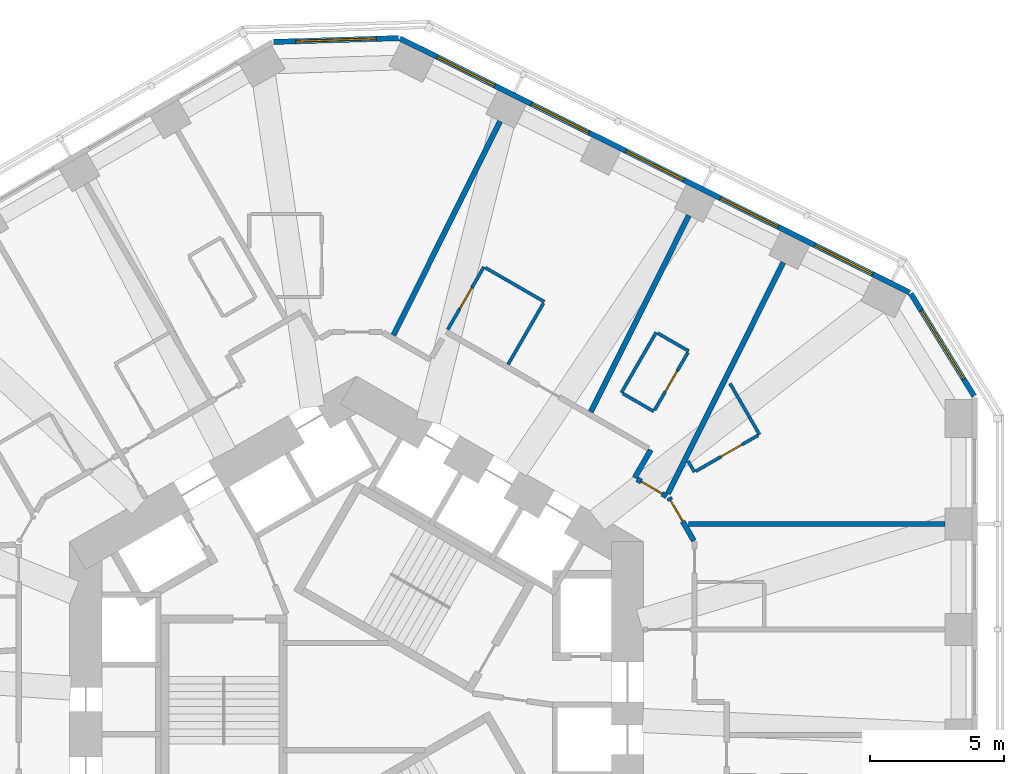
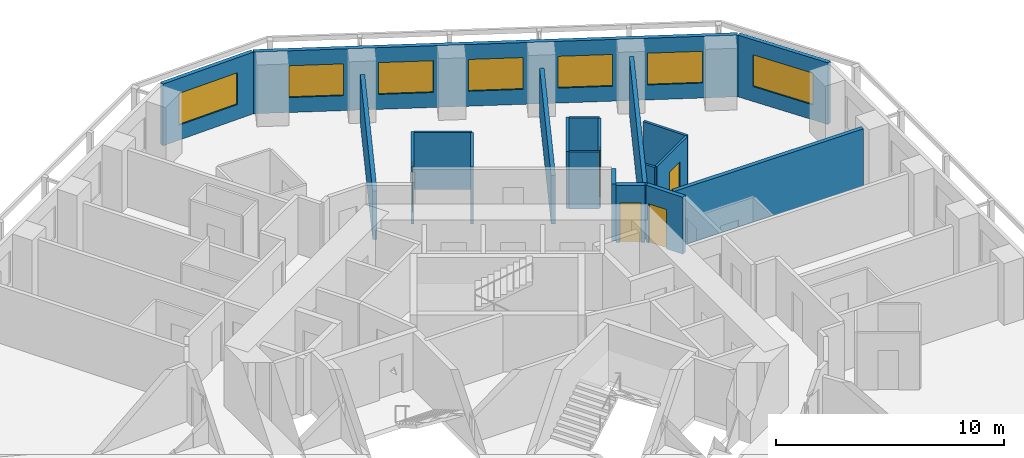
# One storey, part 9 of 12: 20 walls, 7 windows, 5 doors, 12 openings.
"""IFC4 building model written with IfcOpenShell, lengths in metres."""

from ifc_helpers import new_model, si_unit, direction, frame, frame_2d, origin, place, context, subcontext, project, spatial, rectangle, extrude, material, layer, layer_set, type_object, element, fill, save


model = new_model("IFC4")

# Units and contexts
model_context = context("Model", 3, precision=1e-05, world=origin(), true_north=direction((0.0, 1.0)))
body_context = subcontext(model_context, "Body", "Model", "MODEL_VIEW")
ifc_project = project(units=[si_unit("LENGTHUNIT", "METRE"), si_unit("AREAUNIT", "SQUARE_METRE"), si_unit("VOLUMEUNIT", "CUBIC_METRE"), si_unit("PLANEANGLEUNIT", "RADIAN"), si_unit("MASSUNIT", "GRAM", prefix="KILO")], contexts=[model_context])

# Site, building, storey
site_placement = place(None, origin())
site = spatial("IfcSite", under=ifc_project, at=site_placement, CompositionType="ELEMENT")
building_placement = place(site_placement, origin())
building = spatial("IfcBuilding", under=site, at=building_placement, Name="Vanh Sen Convention Tower", CompositionType="ELEMENT")
storey_placement = place(building_placement, frame((0.0, 0.0, 83.60009765625)))
storey = spatial("IfcBuildingStorey", under=building, at=storey_placement, Name="L18", CompositionType="ELEMENT", Elevation=83.60009765625)

# Wall, opening, door
ifc_material_1 = material(Name="Moisture-resistant gypsum board on steel studs", Category="steel")
ifc_layer_1 = layer(ifc_material_1, 0.1201171875)
ifc_layer_set_1 = layer_set([ifc_layer_1], Name="Moisture-resistant gypsum board on steel studs")
wall_type_1 = type_object("IfcWallType", Name="Bathroom partition 120", PredefinedType="PARTITIONING", material=ifc_layer_set_1)
wall_1_placement = place(storey_placement, frame((3.39892578125, 14.089111328125, 0.0), z_axis=(0.0, 0.0, 1.0), x_axis=(0.4999416173, 0.866059108428, 0.0)))
wall_1 = element("IfcWall", 1, at=wall_1_placement, inside=storey, type_object=wall_type_1, Name="Bathroom partition 120", PredefinedType="PARTITIONING", context=body_context, shape_type="SweptSolid", body=[
    extrude(rectangle(XDim=2.699951171875, YDim=0.1201171875, at=frame_2d((1.35009765625, 0.0))), origin(), (0.0, 0.0, 1.0), 3.0498046875),
])
opening_1_placement = place(wall_1_placement, frame((0.89990234375, 0.0, 0.0)))
opening_1 = element("IfcOpeningElement", 2, at=opening_1_placement, cuts=wall_1, Name="Opening D16111", PredefinedType="OPENING", context=body_context, shape_type="SweptSolid", body=[
    extrude(rectangle(XDim=0.89990234375, YDim=2.10009765625, at=frame_2d((0.449951171875, 1.050048828125))), frame((0.0, 0.070068359375, 0.0), z_axis=(0.0, -1.0, 0.0), x_axis=(1.0, 0.0, 0.0)), (0.0, 0.0, 1.0), 0.14013671875),
])
ifc_material_2 = material(Name="Laminate door in steel frame", Category="steel")
door_type_1 = type_object("IfcDoorType", Name="En-suite door 900", OperationType="SINGLE_SWING_LEFT", PredefinedType="DOOR", material=ifc_material_2)
door_1_placement = place(opening_1_placement, origin())
door_1 = element("IfcDoor", 3, at=door_1_placement, inside=storey, type_object=door_type_1, Name="En-suite door D16111", OperationType="SINGLE_SWING_LEFT", OverallHeight=2.10009765625, OverallWidth=0.89990234375, PredefinedType="DOOR", context=body_context, shape_type="SweptSolid", body=[
    extrude(rectangle(XDim=0.89990234375, YDim=2.10009765625, at=frame_2d((0.449951171875, 1.050048828125))), frame((0.0, 0.02490234375, 0.0), z_axis=(0.0, -1.0, 0.0), x_axis=(1.0, 0.0, 0.0)), (0.0, 0.0, 1.0), 0.050048828125),
])
fill(opening_1, door_1)

# Walls
wall_2_placement = place(storey_placement, frame((4.80078125, 16.3974609375, 0.0), z_axis=(0.0, 0.0, 1.0), x_axis=(0.866022320763, -0.500005339912, 0.0)))
element("IfcWall", 4, at=wall_2_placement, inside=storey, type_object=wall_type_1, Name="Bathroom partition 120", PredefinedType="PARTITIONING", context=body_context, shape_type="SweptSolid", body=[
    extrude(rectangle(XDim=2.5400390625, YDim=0.1201171875, at=frame_2d((1.27001953125, 0.0))), origin(), (0.0, 0.0, 1.0), 3.0498046875),
])
wall_3_placement = place(storey_placement, frame((6.970703125, 15.075439453125, 0.0), z_axis=(0.0, 0.0, 1.0), x_axis=(-0.500007957085, -0.86602080971, 0.0)))
element("IfcWall", 5, at=wall_3_placement, inside=storey, type_object=wall_type_1, Name="Bathroom partition 120", PredefinedType="PARTITIONING", context=body_context, shape_type="SweptSolid", body=[
    extrude(rectangle(XDim=2.64013671875, YDim=0.1201171875, at=frame_2d((1.320068359375, 0.0))), origin(), (0.0, 0.0, 1.0), 3.0498046875),
])
wall_4_placement = place(storey_placement, frame((9.87451171875, 11.736083984375, 0.0), z_axis=(0.0, 0.0, 1.0), x_axis=(0.499936506574, 0.866062058628, 0.0)))
element("IfcWall", 6, at=wall_4_placement, inside=storey, type_object=wall_type_1, Name="Bathroom partition 120", PredefinedType="PARTITIONING", context=body_context, shape_type="SweptSolid", body=[
    extrude(rectangle(XDim=2.599853515625, YDim=0.1201171875, at=frame_2d((1.2998046875, 0.0))), origin(), (0.0, 0.0, 1.0), 3.0498046875),
])
for number, where, z_axis, x_axis, name in (
    (7, (11.0869140625, 11.0361328125, 0.0), (0.0, 0.0, 1.0), (-0.866036909293, 0.499980071345, 0.0), "Bathroom partition 120"),
    (8, (11.226318359375, 13.957763671875, 0.0), (0.0, 0.0, 1.0), (0.866036909293, -0.499980071345, 0.0), "Bathroom partition 120"),
):
    element("IfcWall", number, at=place(storey_placement, frame(where, z_axis=z_axis, x_axis=x_axis)), inside=storey, type_object=wall_type_1, Name=name, PredefinedType="PARTITIONING", context=body_context, shape_type="SweptSolid", body=[
        extrude(rectangle(XDim=1.33984375, YDim=0.1201171875, at=frame_2d((0.669921875, 0.0))), origin(), (0.0, 0.0, 1.0), 3.0498046875),
    ])

# Wall, opening, door
wall_5_placement = place(storey_placement, frame((12.356689453125, 13.23583984375, 0.0), z_axis=(0.0, 0.0, 1.0), x_axis=(-0.50000366821, -0.866023285932, 0.0)))
wall_5 = element("IfcWall", 9, at=wall_5_placement, inside=storey, type_object=wall_type_1, Name="Bathroom partition 120", PredefinedType="PARTITIONING", context=body_context, shape_type="SweptSolid", body=[
    extrude(rectangle(XDim=2.47998046875, YDim=0.1201171875, at=frame_2d((1.239990234375, 0.0))), origin(), (0.0, 0.0, 1.0), 3.0498046875),
])
opening_2_placement = place(wall_5_placement, frame((0.7900390625, 0.0, 0.0)))
opening_2 = element("IfcOpeningElement", 10, at=opening_2_placement, cuts=wall_5, Name="Opening D16109", PredefinedType="OPENING", context=body_context, shape_type="SweptSolid", body=[
    extrude(rectangle(XDim=0.89990234375, YDim=2.10009765625, at=frame_2d((0.449951171875, 1.050048828125))), frame((0.0, 0.070068359375, 0.0), z_axis=(0.0, -1.0, 0.0), x_axis=(1.0, 0.0, 0.0)), (0.0, 0.0, 1.0), 0.14013671875),
])
door_2_placement = place(opening_2_placement, origin())
door_2 = element("IfcDoor", 11, at=door_2_placement, inside=storey, type_object=door_type_1, Name="En-suite door D16109", OperationType="SINGLE_SWING_LEFT", OverallHeight=2.10009765625, OverallWidth=0.89990234375, PredefinedType="DOOR", context=body_context, shape_type="SweptSolid", body=[
    extrude(rectangle(XDim=0.89990234375, YDim=2.10009765625, at=frame_2d((0.449951171875, 1.050048828125))), frame((0.0, 0.02490234375, 0.0), z_axis=(0.0, -1.0, 0.0), x_axis=(1.0, 0.0, 0.0)), (0.0, 0.0, 1.0), 0.050048828125),
])
fill(opening_2, door_2)

# Walls
wall_6_placement = place(storey_placement, frame((12.600830078125, 8.776123046875, 0.0), z_axis=(0.0, 0.0, 1.0), x_axis=(-0.500166486798, 0.865929261247, 0.0)))
element("IfcWall", 12, at=wall_6_placement, inside=storey, type_object=wall_type_1, Name="Bathroom partition 120", PredefinedType="PARTITIONING", context=body_context, shape_type="SweptSolid", body=[
    extrude(rectangle(XDim=0.475830078125, YDim=0.1201171875, at=frame_2d((0.23779296875, 0.0))), origin(), (0.0, 0.0, 1.0), 3.0498046875),
])
wall_7_placement = place(storey_placement, frame((13.92578125, 12.081298828125, 0.0), z_axis=(0.0, 0.0, 1.0), x_axis=(0.499994660107, -0.866028486751, 0.0)))
element("IfcWall", 13, at=wall_7_placement, inside=storey, type_object=wall_type_1, Name="Bathroom partition 120", PredefinedType="PARTITIONING", context=body_context, shape_type="SweptSolid", body=[
    extrude(rectangle(XDim=2.19970703125, YDim=0.1201171875, at=frame_2d((1.099853515625, 0.0))), origin(), (0.0, 0.0, 1.0), 3.0498046875),
])

# Wall, opening, door
wall_8_placement = place(storey_placement, frame((14.9736328125, 10.146240234375, 0.0), z_axis=(0.0, 0.0, 1.0), x_axis=(-0.86599746015, -0.500048396672, 0.0)))
wall_8 = element("IfcWall", 14, at=wall_8_placement, inside=storey, type_object=wall_type_1, Name="Bathroom partition 120", PredefinedType="PARTITIONING", context=body_context, shape_type="SweptSolid", body=[
    extrude(rectangle(XDim=2.679931640625, YDim=0.1201171875, at=frame_2d((1.33984375, 0.0))), origin(), (0.0, 0.0, 1.0), 3.0498046875),
])
opening_3_placement = place(wall_8_placement, frame((0.68994140625, 0.0, 0.0)))
opening_3 = element("IfcOpeningElement", 15, at=opening_3_placement, cuts=wall_8, Name="Opening D16107", PredefinedType="OPENING", context=body_context, shape_type="SweptSolid", body=[
    extrude(rectangle(XDim=0.89990234375, YDim=2.10009765625, at=frame_2d((0.449951171875, 1.050048828125))), frame((0.0, 0.070068359375, 0.0), z_axis=(0.0, -1.0, 0.0), x_axis=(1.0, 0.0, 0.0)), (0.0, 0.0, 1.0), 0.14013671875),
])
door_3_placement = place(opening_3_placement, origin())
door_3 = element("IfcDoor", 16, at=door_3_placement, inside=storey, type_object=door_type_1, Name="En-suite door D16107", OperationType="SINGLE_SWING_LEFT", OverallHeight=2.10009765625, OverallWidth=0.89990234375, PredefinedType="DOOR", context=body_context, shape_type="SweptSolid", body=[
    extrude(rectangle(XDim=0.89990234375, YDim=2.10009765625, at=frame_2d((0.449951171875, 1.050048828125))), frame((0.0, 0.02490234375, 0.0), z_axis=(0.0, -1.0, 0.0), x_axis=(1.0, 0.0, 0.0)), (0.0, 0.0, 1.0), 0.050048828125),
])
fill(opening_3, door_3)

# Wall
ifc_material_3 = material(Name="Gypsum board on steel studs with mineral wool", Category="steel")
ifc_layer_2 = layer(ifc_material_3, 0.199951171875)
ifc_layer_set_2 = layer_set([ifc_layer_2], Name="Gypsum board on steel studs with mineral wool")
wall_type_2 = type_object("IfcWallType", Name="Corridor partition wall 200", PredefinedType="PARTITIONING", material=ifc_layer_set_2)
wall_9_placement = place(storey_placement, frame((10.37109375, 8.561279296875, 0.0), z_axis=(0.0, 0.0, 1.0), x_axis=(0.499986357472, 0.866033280158, 0.0)))
element("IfcWall", 17, at=wall_9_placement, inside=storey, type_object=wall_type_2, Name="Corridor partition wall 200", PredefinedType="PARTITIONING", context=body_context, shape_type="SweptSolid", body=[
    extrude(rectangle(XDim=1.201171875, YDim=0.199951171875, at=frame_2d((0.6005859375, 0.0))), origin(), (0.0, 0.0, 1.0), 3.0498046875),
])

# Wall, opening, door
wall_10_placement = place(storey_placement, frame((11.56640625, 7.871337890625, 0.0), z_axis=(0.0, 0.0, 1.0), x_axis=(-0.866004557827, 0.500036104519, 0.0)))
wall_10 = element("IfcWall", 18, at=wall_10_placement, inside=storey, type_object=wall_type_2, Name="Corridor partition wall 200", PredefinedType="PARTITIONING", context=body_context, shape_type="SweptSolid", body=[
    extrude(rectangle(XDim=1.2802734375, YDim=0.199951171875, at=frame_2d((0.64013671875, 0.0))), origin(), (0.0, 0.0, 1.0), 3.0498046875),
])
opening_4_placement = place(wall_10_placement, frame((0.190185546875, 0.0, 0.0)))
opening_4 = element("IfcOpeningElement", 19, at=opening_4_placement, cuts=wall_10, Name="Opening D16108", PredefinedType="OPENING", context=body_context, shape_type="SweptSolid", body=[
    extrude(rectangle(XDim=0.89990234375, YDim=2.10009765625, at=frame_2d((0.449951171875, 1.050048828125))), frame((0.0, 0.10986328125, 0.0), z_axis=(0.0, -1.0, 0.0), x_axis=(1.0, 0.0, 0.0)), (0.0, 0.0, 1.0), 0.219970703125),
])
ifc_material_4 = material(Name="Timber fire door in steel frame", Category="steel")
door_type_2 = type_object("IfcDoorType", Name="Guest room door 900", OperationType="SINGLE_SWING_LEFT", PredefinedType="DOOR", material=ifc_material_4)
door_4_placement = place(opening_4_placement, origin())
door_4 = element("IfcDoor", 20, at=door_4_placement, inside=storey, type_object=door_type_2, Name="Hotel guest room door D16108", OperationType="SINGLE_SWING_LEFT", OverallHeight=2.10009765625, OverallWidth=0.89990234375, PredefinedType="DOOR", context=body_context, shape_type="SweptSolid", body=[
    extrude(rectangle(XDim=0.89990234375, YDim=2.10009765625, at=frame_2d((0.449951171875, 1.050048828125))), frame((0.0, 0.02490234375, 0.0), z_axis=(0.0, -1.0, 0.0), x_axis=(1.0, 0.0, 0.0)), (0.0, 0.0, 1.0), 0.050048828125),
])
fill(opening_4, door_4)

wall_11_placement = place(storey_placement, frame((12.580078125, 6.212158203125, 0.0), z_axis=(0.0, 0.0, 1.0), x_axis=(-0.500063286585, 0.865988862174, 0.0)))
wall_11 = element("IfcWall", 21, at=wall_11_placement, inside=storey, type_object=wall_type_2, Name="Corridor partition wall 200", PredefinedType="PARTITIONING", context=body_context, shape_type="SweptSolid", body=[
    extrude(rectangle(XDim=1.860107421875, YDim=0.199951171875, at=frame_2d((0.93017578125, 0.0))), origin(), (0.0, 0.0, 1.0), 3.0498046875),
])
opening_5_placement = place(wall_11_placement, frame((0.841796875, 0.0, 0.0)))
opening_5 = element("IfcOpeningElement", 22, at=opening_5_placement, cuts=wall_11, Name="Opening D16106", PredefinedType="OPENING", context=body_context, shape_type="SweptSolid", body=[
    extrude(rectangle(XDim=0.89990234375, YDim=2.10009765625, at=frame_2d((0.449951171875, 1.050048828125))), frame((0.0, 0.10986328125, 0.0), z_axis=(0.0, -1.0, 0.0), x_axis=(1.0, 0.0, 0.0)), (0.0, 0.0, 1.0), 0.219970703125),
])
door_5_placement = place(opening_5_placement, origin())
door_5 = element("IfcDoor", 23, at=door_5_placement, inside=storey, type_object=door_type_2, Name="Hotel guest room door D16106", OperationType="SINGLE_SWING_LEFT", OverallHeight=2.10009765625, OverallWidth=0.89990234375, PredefinedType="DOOR", context=body_context, shape_type="SweptSolid", body=[
    extrude(rectangle(XDim=0.89990234375, YDim=2.10009765625, at=frame_2d((0.449951171875, 1.050048828125))), frame((0.0, 0.02490234375, 0.0), z_axis=(0.0, -1.0, 0.0), x_axis=(1.0, 0.0, 0.0)), (0.0, 0.0, 1.0), 0.050048828125),
])
fill(opening_5, door_5)

# Wall, opening, window
ifc_material_5 = material(Name="Insulated lightweight infill wall")
ifc_layer_3 = layer(ifc_material_5, 0.199951171875)
ifc_layer_set_3 = layer_set([ifc_layer_3], Name="Insulated lightweight infill wall")
wall_type_3 = type_object("IfcWallType", Name="External wall 200", PredefinedType="STANDARD", material=ifc_layer_set_3)
wall_12_placement = place(storey_placement, frame((23.034912109375, 11.612060546875, 0.0), z_axis=(0.0, 0.0, 1.0), x_axis=(-0.526160091227, 0.850385535155, 0.0)))
wall_12 = element("IfcWall", 24, at=wall_12_placement, inside=storey, type_object=wall_type_3, Name="External wall CH1 L18", PredefinedType="STANDARD", context=body_context, shape_type="SweptSolid", body=[
    extrude(rectangle(XDim=4.493896484375, YDim=0.199951171875, at=frame_2d((2.2470703125, 0.0))), origin(), (0.0, 0.0, 1.0), 3.2998046875),
])
opening_6_placement = place(wall_12_placement, frame((0.746826171875, 0.0, 0.800048828125)))
opening_6 = element("IfcOpeningElement", 25, at=opening_6_placement, cuts=wall_12, Name="Opening WH2-CH11", PredefinedType="OPENING", context=body_context, shape_type="SweptSolid", body=[
    extrude(rectangle(XDim=3.0, YDim=1.699951171875, at=frame_2d((1.5, 0.85009765625))), frame((0.0, 0.10986328125, 0.0), z_axis=(0.0, -1.0, 0.0), x_axis=(1.0, 0.0, 0.0)), (0.0, 0.0, 1.0), 0.219970703125),
])
ifc_material_6 = material(Name="Aluminium frame with clear low-emissivity glass", Category="aluminium")
window_type_1 = type_object("IfcWindowType", Name="Hotel window 3000 x 1700", PartitioningType="SINGLE_PANEL", PredefinedType="WINDOW", material=ifc_material_6)
window_1_placement = place(opening_6_placement, origin())
window_1 = element("IfcWindow", 26, at=window_1_placement, inside=storey, type_object=window_type_1, Name="Window WH2-CH11", OverallHeight=1.699951171875, OverallWidth=3.0, PartitioningType="SINGLE_PANEL", PredefinedType="WINDOW", context=body_context, shape_type="SweptSolid", body=[
    extrude(rectangle(XDim=3.0, YDim=1.699951171875, at=frame_2d((1.5, 0.85009765625))), frame((0.0, 0.030029296875, 0.0), z_axis=(0.0, -1.0, 0.0), x_axis=(1.0, 0.0, 0.0)), (0.0, 0.0, 1.0), 0.06005859375),
])
fill(opening_6, window_1)

# Wall, openings, windows
wall_13_placement = place(storey_placement, frame((20.6298828125, 15.470458984375, 0.0), z_axis=(0.0, 0.0, 1.0), x_axis=(-0.894934518609, 0.446197498203, 0.0)))
wall_13 = element("IfcWall", 27, at=wall_13_placement, inside=storey, type_object=wall_type_3, Name="External wall NE L18", PredefinedType="STANDARD", context=body_context, shape_type="SweptSolid", body=[
    extrude(rectangle(XDim=21.24609375, YDim=0.199951171875, at=frame_2d((10.623046875, 0.0))), origin(), (0.0, 0.0, 1.0), 3.2998046875),
])
opening_7_placement = place(wall_13_placement, frame((1.552978515625, 0.0, 0.800048828125)))
opening_7 = element("IfcOpeningElement", 28, at=opening_7_placement, cuts=wall_13, Name="Opening WH1-NE1", PredefinedType="OPENING", context=body_context, shape_type="SweptSolid", body=[
    extrude(rectangle(XDim=2.39990234375, YDim=1.699951171875, at=frame_2d((1.199951171875, 0.85009765625))), frame((0.0, 0.10986328125, 0.0), z_axis=(0.0, -1.0, 0.0), x_axis=(1.0, 0.0, 0.0)), (0.0, 0.0, 1.0), 0.219970703125),
])
opening_8_placement = place(wall_13_placement, frame((5.48779296875, 0.0, 0.800048828125)))
opening_8 = element("IfcOpeningElement", 29, at=opening_8_placement, cuts=wall_13, Name="Opening WH1-NE2", PredefinedType="OPENING", context=body_context, shape_type="SweptSolid", body=[
    extrude(rectangle(XDim=2.39990234375, YDim=1.699951171875, at=frame_2d((1.199951171875, 0.85009765625))), frame((0.0, 0.10986328125, 0.0), z_axis=(0.0, -1.0, 0.0), x_axis=(1.0, 0.0, 0.0)), (0.0, 0.0, 1.0), 0.219970703125),
])
opening_9_placement = place(wall_13_placement, frame((9.42236328125, 0.0, 0.800048828125)))
opening_9 = element("IfcOpeningElement", 30, at=opening_9_placement, cuts=wall_13, Name="Opening WH1-NE3", PredefinedType="OPENING", context=body_context, shape_type="SweptSolid", body=[
    extrude(rectangle(XDim=2.39990234375, YDim=1.699951171875, at=frame_2d((1.199951171875, 0.85009765625))), frame((0.0, 0.10986328125, 0.0), z_axis=(0.0, -1.0, 0.0), x_axis=(1.0, 0.0, 0.0)), (0.0, 0.0, 1.0), 0.219970703125),
])
opening_10_placement = place(wall_13_placement, frame((13.35693359375, 0.0, 0.800048828125)))
opening_10 = element("IfcOpeningElement", 31, at=opening_10_placement, cuts=wall_13, Name="Opening WH1-NE4", PredefinedType="OPENING", context=body_context, shape_type="SweptSolid", body=[
    extrude(rectangle(XDim=2.39990234375, YDim=1.699951171875, at=frame_2d((1.199951171875, 0.85009765625))), frame((0.0, 0.10986328125, 0.0), z_axis=(0.0, -1.0, 0.0), x_axis=(1.0, 0.0, 0.0)), (0.0, 0.0, 1.0), 0.219970703125),
])
opening_11_placement = place(wall_13_placement, frame((17.29150390625, 0.0, 0.800048828125)))
opening_11 = element("IfcOpeningElement", 32, at=opening_11_placement, cuts=wall_13, Name="Opening WH1-NE5", PredefinedType="OPENING", context=body_context, shape_type="SweptSolid", body=[
    extrude(rectangle(XDim=2.39990234375, YDim=1.699951171875, at=frame_2d((1.199951171875, 0.85009765625))), frame((0.0, 0.10986328125, 0.0), z_axis=(0.0, -1.0, 0.0), x_axis=(1.0, 0.0, 0.0)), (0.0, 0.0, 1.0), 0.219970703125),
])
window_type_2 = type_object("IfcWindowType", Name="Hotel window 2400 x 1700", PartitioningType="SINGLE_PANEL", PredefinedType="WINDOW", material=ifc_material_6)
window_2_placement = place(opening_7_placement, origin())
window_2 = element("IfcWindow", 33, at=window_2_placement, inside=storey, type_object=window_type_2, Name="Window WH1-NE1", OverallHeight=1.699951171875, OverallWidth=2.39990234375, PartitioningType="SINGLE_PANEL", PredefinedType="WINDOW", context=body_context, shape_type="SweptSolid", body=[
    extrude(rectangle(XDim=2.39990234375, YDim=1.699951171875, at=frame_2d((1.199951171875, 0.85009765625))), frame((0.0, 0.030029296875, 0.0), z_axis=(0.0, -1.0, 0.0), x_axis=(1.0, 0.0, 0.0)), (0.0, 0.0, 1.0), 0.06005859375),
])
fill(opening_7, window_2)
window_3_placement = place(opening_8_placement, origin())
window_3 = element("IfcWindow", 34, at=window_3_placement, inside=storey, type_object=window_type_2, Name="Window WH1-NE2", OverallHeight=1.699951171875, OverallWidth=2.39990234375, PartitioningType="SINGLE_PANEL", PredefinedType="WINDOW", context=body_context, shape_type="SweptSolid", body=[
    extrude(rectangle(XDim=2.39990234375, YDim=1.699951171875, at=frame_2d((1.199951171875, 0.85009765625))), frame((0.0, 0.030029296875, 0.0), z_axis=(0.0, -1.0, 0.0), x_axis=(1.0, 0.0, 0.0)), (0.0, 0.0, 1.0), 0.06005859375),
])
fill(opening_8, window_3)
window_4_placement = place(opening_9_placement, origin())
window_4 = element("IfcWindow", 35, at=window_4_placement, inside=storey, type_object=window_type_2, Name="Window WH1-NE3", OverallHeight=1.699951171875, OverallWidth=2.39990234375, PartitioningType="SINGLE_PANEL", PredefinedType="WINDOW", context=body_context, shape_type="SweptSolid", body=[
    extrude(rectangle(XDim=2.39990234375, YDim=1.699951171875, at=frame_2d((1.199951171875, 0.85009765625))), frame((0.0, 0.030029296875, 0.0), z_axis=(0.0, -1.0, 0.0), x_axis=(1.0, 0.0, 0.0)), (0.0, 0.0, 1.0), 0.06005859375),
])
fill(opening_9, window_4)
window_5_placement = place(opening_10_placement, origin())
window_5 = element("IfcWindow", 36, at=window_5_placement, inside=storey, type_object=window_type_2, Name="Window WH1-NE4", OverallHeight=1.699951171875, OverallWidth=2.39990234375, PartitioningType="SINGLE_PANEL", PredefinedType="WINDOW", context=body_context, shape_type="SweptSolid", body=[
    extrude(rectangle(XDim=2.39990234375, YDim=1.699951171875, at=frame_2d((1.199951171875, 0.85009765625))), frame((0.0, 0.030029296875, 0.0), z_axis=(0.0, -1.0, 0.0), x_axis=(1.0, 0.0, 0.0)), (0.0, 0.0, 1.0), 0.06005859375),
])
fill(opening_10, window_5)
window_6_placement = place(opening_11_placement, origin())
window_6 = element("IfcWindow", 37, at=window_6_placement, inside=storey, type_object=window_type_2, Name="Window WH1-NE5", OverallHeight=1.699951171875, OverallWidth=2.39990234375, PartitioningType="SINGLE_PANEL", PredefinedType="WINDOW", context=body_context, shape_type="SweptSolid", body=[
    extrude(rectangle(XDim=2.39990234375, YDim=1.699951171875, at=frame_2d((1.199951171875, 0.85009765625))), frame((0.0, 0.030029296875, 0.0), z_axis=(0.0, -1.0, 0.0), x_axis=(1.0, 0.0, 0.0)), (0.0, 0.0, 1.0), 0.06005859375),
])
fill(opening_11, window_6)

# Wall, opening, window
wall_14_placement = place(storey_placement, frame((1.568359375, 24.9609375, 0.0), z_axis=(0.0, 0.0, 1.0), x_axis=(-0.999533359013, -0.030546099927, 0.0)))
wall_14 = element("IfcWall", 38, at=wall_14_placement, inside=storey, type_object=wall_type_3, Name="External wall CH2 L18", PredefinedType="STANDARD", context=body_context, shape_type="SweptSolid", body=[
    extrude(rectangle(XDim=4.65966796875, YDim=0.199951171875, at=frame_2d((2.329833984375, 0.0))), origin(), (0.0, 0.0, 1.0), 3.2998046875),
])
opening_12_placement = place(wall_14_placement, frame((0.829833984375, 0.0, 0.800048828125)))
opening_12 = element("IfcOpeningElement", 39, at=opening_12_placement, cuts=wall_14, Name="Opening WH2-CH21", PredefinedType="OPENING", context=body_context, shape_type="SweptSolid", body=[
    extrude(rectangle(XDim=3.0, YDim=1.699951171875, at=frame_2d((1.5, 0.85009765625))), frame((0.0, 0.10986328125, 0.0), z_axis=(0.0, -1.0, 0.0), x_axis=(1.0, 0.0, 0.0)), (0.0, 0.0, 1.0), 0.219970703125),
])
window_7_placement = place(opening_12_placement, origin())
window_7 = element("IfcWindow", 40, at=window_7_placement, inside=storey, type_object=window_type_1, Name="Window WH2-CH21", OverallHeight=1.699951171875, OverallWidth=3.0, PartitioningType="SINGLE_PANEL", PredefinedType="WINDOW", context=body_context, shape_type="SweptSolid", body=[
    extrude(rectangle(XDim=3.0, YDim=1.699951171875, at=frame_2d((1.5, 0.85009765625))), frame((0.0, 0.030029296875, 0.0), z_axis=(0.0, -1.0, 0.0), x_axis=(1.0, 0.0, 0.0)), (0.0, 0.0, 1.0), 0.06005859375),
])
fill(opening_12, window_7)

# Walls
ifc_layer_4 = layer(ifc_material_3, 0.199951171875)
ifc_layer_set_4 = layer_set([ifc_layer_4], Name="Gypsum board on steel studs with mineral wool")
wall_type_4 = type_object("IfcWallType", Name="Hotel party wall 200", PredefinedType="PARTITIONING", material=ifc_layer_set_4)
wall_15_placement = place(storey_placement, frame((5.35107421875, 21.859130859375, 0.0), z_axis=(0.0, 0.0, 1.0), x_axis=(-0.446205309328, -0.894930624086, 0.0)))
element("IfcWall", 41, at=wall_15_placement, inside=storey, type_object=wall_type_4, Name="Hotel party wall 200", PredefinedType="PARTITIONING", context=body_context, shape_type="SweptSolid", body=[
    extrude(rectangle(XDim=8.9130859375, YDim=0.199951171875, at=frame_2d((4.45654296875, 0.0))), origin(), (0.0, 0.0, 1.0), 2.599853515625),
])
wall_16_placement = place(storey_placement, frame((12.393310546875, 18.347900390625, 0.0), z_axis=(0.0, 0.0, 1.0), x_axis=(-0.446176022699, -0.894945225569, 0.0)))
element("IfcWall", 42, at=wall_16_placement, inside=storey, type_object=wall_type_4, Name="Hotel party wall 200", PredefinedType="PARTITIONING", context=body_context, shape_type="SweptSolid", body=[
    extrude(rectangle(XDim=8.19091796875, YDim=0.199951171875, at=frame_2d((4.095458984375, 0.0))), origin(), (0.0, 0.0, 1.0), 2.599853515625),
])
wall_17_placement = place(storey_placement, frame((15.91455078125, 16.59228515625, 0.0), z_axis=(0.0, 0.0, 1.0), x_axis=(-0.446199736347, -0.894933402709, 0.0)))
element("IfcWall", 43, at=wall_17_placement, inside=storey, type_object=wall_type_4, Name="Hotel party wall 200", PredefinedType="PARTITIONING", context=body_context, shape_type="SweptSolid", body=[
    extrude(rectangle(XDim=9.634765625, YDim=0.199951171875, at=frame_2d((4.8173828125, 0.0))), origin(), (0.0, 0.0, 1.0), 3.0498046875),
])
wall_18_placement = place(storey_placement, frame((21.949951171875, 6.839111328125, 0.0), z_axis=(0.0, 0.0, 1.0), x_axis=(-1.0, 0.0, 0.0)))
element("IfcWall", 44, at=wall_18_placement, inside=storey, type_object=wall_type_4, Name="Hotel party wall 200", PredefinedType="PARTITIONING", context=body_context, shape_type="SweptSolid", body=[
    extrude(rectangle(XDim=9.57177734375, YDim=0.199951171875, at=frame_2d((4.785888671875, 0.0))), origin(), (0.0, 0.0, 1.0), 3.0498046875),
])

save(model, "model.ifc")
